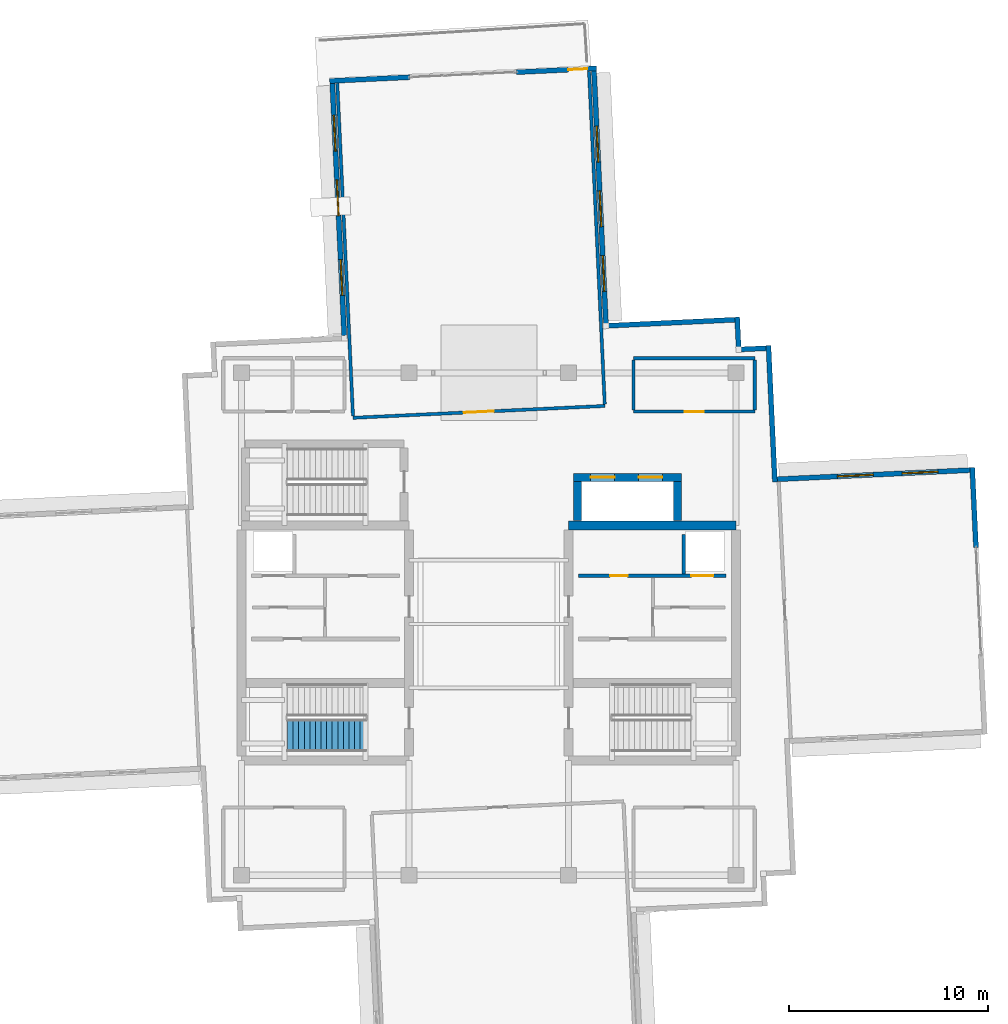
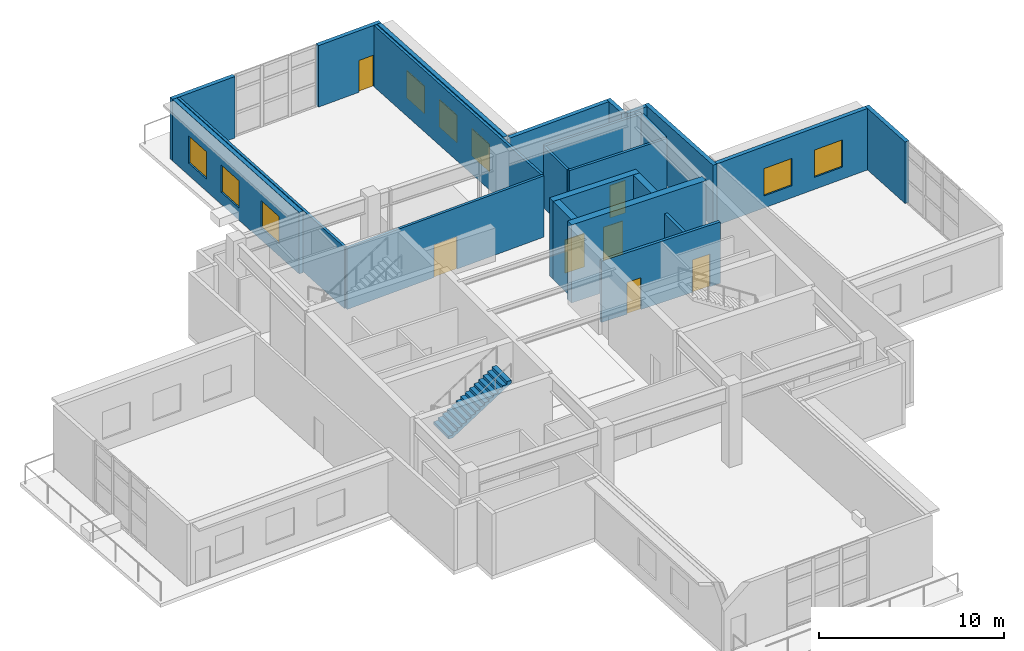
# One storey, part 15 of 22: 23 walls, 8 windows, 7 doors, 1 stair flight, 15 openings, 1 element without a shape of its own.
"""IFC4 building model written with IfcOpenShell, lengths in metres."""

from ifc_helpers import new_model, si_unit, direction, frame, frame_2d, origin, place, context, subcontext, project, spatial, polyline, rectangle, outline, extrude, material, layer, layer_set, type_object, element, fill, aggregate, save


model = new_model("IFC4")

# Units and contexts
model_context = context("Model", 3, precision=1e-05, world=origin(), true_north=direction((0.0, 1.0)))
body_context = subcontext(model_context, "Body", "Model", "MODEL_VIEW")
ifc_project = project(units=[si_unit("LENGTHUNIT", "METRE"), si_unit("AREAUNIT", "SQUARE_METRE"), si_unit("VOLUMEUNIT", "CUBIC_METRE"), si_unit("PLANEANGLEUNIT", "RADIAN"), si_unit("MASSUNIT", "GRAM", prefix="KILO")], contexts=[model_context])

# Site, building, storey
site_placement = place(None, origin())
site = spatial("IfcSite", under=ifc_project, at=site_placement, CompositionType="ELEMENT")
building_placement = place(site_placement, origin())
building = spatial("IfcBuilding", under=site, at=building_placement, Name="Qingluan Cross Belvedere", CompositionType="ELEMENT")
storey_placement = place(building_placement, frame((0.0, 0.0, 294.0)))
storey = spatial("IfcBuildingStorey", under=building, at=storey_placement, Name="L73", CompositionType="ELEMENT", Elevation=294.0)

# Walls
ifc_material_1 = material(Name="Concrete C50", Category="concrete")
ifc_layer_1 = layer(ifc_material_1, 0.449951171875, Name="CoreShearWall_450")
ifc_layer_set_1 = layer_set([ifc_layer_1], Name="Concrete C50")
wall_type_1 = type_object("IfcWallType", Name="CoreShearWall_450", PredefinedType="SHEAR", material=ifc_layer_set_1)
wall_1_placement = place(storey_placement, frame((4.0, 4.949951171875, 0.0), z_axis=(0.0, 0.0, 1.0), x_axis=(1.0, 0.0, 0.0)))
element("IfcWall", 1, at=wall_1_placement, inside=storey, type_object=wall_type_1, Name="Split core E shear wall L73-N", PredefinedType="SHEAR", context=body_context, shape_type="SweptSolid", body=[
    extrude(rectangle(XDim=8.39990234375, YDim=0.449951171875, at=frame_2d((4.199951171875, 0.0))), origin(), (0.0, 0.0, 1.0), 5.14990234375),
])
wall_2_placement = place(storey_placement, frame((4.449951171875, 5.179931640625, 0.0), z_axis=(0.0, 0.0, 1.0), x_axis=(0.0, 1.0, 0.0)))
element("IfcWall", 2, at=wall_2_placement, inside=storey, type_object=wall_type_1, Name="Express shuttle core wall L73-W", PredefinedType="SHEAR", context=body_context, shape_type="SweptSolid", body=[
    extrude(rectangle(XDim=1.9599609375, YDim=0.39990234375, at=frame_2d((0.97998046875, 0.0))), origin(), (0.0, 0.0, 1.0), 5.14990234375),
])

# Wall, openings, doors
wall_3_placement = place(storey_placement, frame((4.25, 7.35009765625, 0.0), z_axis=(0.0, 0.0, 1.0), x_axis=(1.0, 0.0, 0.0)))
wall_3 = element("IfcWall", 3, at=wall_3_placement, inside=storey, type_object=wall_type_1, Name="Express shuttle core wall L73-N", PredefinedType="SHEAR", context=body_context, shape_type="SweptSolid", body=[
    extrude(rectangle(XDim=5.39990234375, YDim=0.39990234375, at=frame_2d((2.699951171875, 0.0))), origin(), (0.0, 0.0, 1.0), 5.14990234375),
])
opening_1_placement = place(wall_3_placement, frame((0.85009765625, 0.0, 0.0)))
opening_1 = element("IfcOpeningElement", 4, at=opening_1_placement, cuts=wall_3, Name="Opening LD-12", PredefinedType="OPENING", context=body_context, shape_type="SweptSolid", body=[
    extrude(rectangle(XDim=1.199951171875, YDim=2.199951171875, at=frame_2d((0.60009765625, 1.10009765625))), frame((0.0, 0.2099609375, 0.0), z_axis=(0.0, -1.0, 0.0), x_axis=(1.0, 0.0, 0.0)), (0.0, 0.0, 1.0), 0.419921875),
])
opening_2_placement = place(wall_3_placement, frame((3.25, 0.0, 0.0)))
opening_2 = element("IfcOpeningElement", 5, at=opening_2_placement, cuts=wall_3, Name="Opening LD-12", PredefinedType="OPENING", context=body_context, shape_type="SweptSolid", body=[
    extrude(rectangle(XDim=1.199951171875, YDim=2.199951171875, at=frame_2d((0.60009765625, 1.10009765625))), frame((0.0, 0.2099609375, 0.0), z_axis=(0.0, -1.0, 0.0), x_axis=(1.0, 0.0, 0.0)), (0.0, 0.0, 1.0), 0.419921875),
])
ifc_material_2 = material(Name="Bronze-anodised stainless steel lift landing door", Category="steel")
door_type_1 = type_object("IfcDoorType", Name="ExpressLiftSlidingDoor_1200", OperationType="DOUBLE_DOOR_SLIDING", PredefinedType="DOOR", material=ifc_material_2)
door_1_placement = place(opening_1_placement, origin())
door_1 = element("IfcDoor", 6, at=door_1_placement, inside=storey, type_object=door_type_1, Name="Express shuttle landing sliding door LPX1 L73", OperationType="DOUBLE_DOOR_SLIDING", OverallHeight=2.199951171875, OverallWidth=1.199951171875, PredefinedType="DOOR", context=body_context, shape_type="SweptSolid", body=[
    extrude(rectangle(XDim=1.199951171875, YDim=2.199951171875, at=frame_2d((0.60009765625, 1.10009765625))), frame((0.0, 0.02490234375, 0.0), z_axis=(0.0, -1.0, 0.0), x_axis=(1.0, 0.0, 0.0)), (0.0, 0.0, 1.0), 0.050048828125),
])
fill(opening_1, door_1)
door_2_placement = place(opening_2_placement, origin())
door_2 = element("IfcDoor", 7, at=door_2_placement, inside=storey, type_object=door_type_1, Name="Express shuttle landing sliding door LPX2 L73", OperationType="DOUBLE_DOOR_SLIDING", OverallHeight=2.199951171875, OverallWidth=1.199951171875, PredefinedType="DOOR", context=body_context, shape_type="SweptSolid", body=[
    extrude(rectangle(XDim=1.199951171875, YDim=2.199951171875, at=frame_2d((0.60009765625, 1.10009765625))), frame((0.0, 0.02490234375, 0.0), z_axis=(0.0, -1.0, 0.0), x_axis=(1.0, 0.0, 0.0)), (0.0, 0.0, 1.0), 0.050048828125),
])
fill(opening_2, door_2)

# Wall
wall_4_placement = place(storey_placement, frame((9.449951171875, 5.179931640625, 0.0), z_axis=(0.0, 0.0, 1.0), x_axis=(0.0, 1.0, 0.0)))
element("IfcWall", 8, at=wall_4_placement, inside=storey, type_object=wall_type_1, Name="Express shuttle core wall L73-E", PredefinedType="SHEAR", context=body_context, shape_type="SweptSolid", body=[
    extrude(rectangle(XDim=1.9599609375, YDim=0.39990234375, at=frame_2d((0.97998046875, 0.0))), origin(), (0.0, 0.0, 1.0), 5.14990234375),
])

# Wall, opening, door
ifc_material_3 = material(Name="Gypsum plasterboard on steel stud acoustic partition", Category="steel")
ifc_layer_2 = layer(ifc_material_3, 0.159912109375, Name="CorridorPartition_160")
ifc_layer_set_2 = layer_set([ifc_layer_2], Name="Gypsum plasterboard on steel stud acoustic partition")
wall_type_2 = type_object("IfcWallType", Name="CorridorPartition_160", PredefinedType="PARTITIONING", material=ifc_layer_set_2)
wall_5_placement = place(storey_placement, frame((-6.814697265625, 10.340576171875, 0.0), z_axis=(0.0, 0.0, 1.0), x_axis=(0.998890660658, 0.04708978712, 0.0)))
wall_5 = element("IfcWall", 9, at=wall_5_placement, inside=storey, type_object=wall_type_2, Name="Partition L73:damper_hall:S", PredefinedType="PARTITIONING", context=body_context, shape_type="SweptSolid", body=[
    extrude(rectangle(XDim=12.639892578125, YDim=0.159912109375, at=frame_2d((6.31982421875, 0.0))), origin(), (0.0, 0.0, 1.0), 4.050048828125),
])
opening_3_placement = place(wall_5_placement, frame((5.570068359375, 0.0, 0.0)))
opening_3 = element("IfcOpeningElement", 10, at=opening_3_placement, cuts=wall_5, Name="Opening FD-A15", PredefinedType="OPENING", context=body_context, shape_type="SweptSolid", body=[
    extrude(rectangle(XDim=1.5, YDim=2.14990234375, at=frame_2d((0.75, 1.074951171875))), frame((0.0, 0.08984375, 0.0), z_axis=(0.0, -1.0, 0.0), x_axis=(1.0, 0.0, 0.0)), (0.0, 0.0, 1.0), 0.179931640625),
])
ifc_material_4 = material(Name="Insulated steel Class A double fire door", Category="steel")
door_type_2 = type_object("IfcDoorType", Name="PlantDoubleFireDoor_FDA", OperationType="DOUBLE_DOOR_SINGLE_SWING", PredefinedType="DOOR", material=ifc_material_4)
door_3_placement = place(opening_3_placement, origin())
door_3 = element("IfcDoor", 11, at=door_3_placement, inside=storey, type_object=door_type_2, Name="Glazed tuned mass damper exhibition hall L73 door", OperationType="DOUBLE_DOOR_SINGLE_SWING", OverallHeight=2.14990234375, OverallWidth=1.5, PredefinedType="DOOR", context=body_context, shape_type="SweptSolid", body=[
    extrude(rectangle(XDim=1.5, YDim=2.14990234375, at=frame_2d((0.75, 1.074951171875))), frame((0.0, 0.02490234375, 0.0), z_axis=(0.0, -1.0, 0.0), x_axis=(1.0, 0.0, 0.0)), (0.0, 0.0, 1.0), 0.050048828125),
])
fill(opening_3, door_3)

# Walls
for number, where, z_axis, x_axis, name in (
    (12, (-6.818603515625, 10.42529296875, 0.0), (0.0, 0.0, 1.0), (-0.047112609649, 0.998889584495, 0.0), "Partition L73:damper_hall:W"),
    (13, (5.807373046875, 11.020751953125, 0.0), (0.0, 0.0, 1.0), (-0.047112609649, 0.998889584495, 0.0), "Partition L73:damper_hall:E"),
):
    element("IfcWall", number, at=place(storey_placement, frame(where, z_axis=z_axis, x_axis=x_axis)), inside=storey, type_object=wall_type_2, Name=name, PredefinedType="PARTITIONING", context=body_context, shape_type="SweptSolid", body=[
        extrude(rectangle(XDim=16.712158203125, YDim=0.159912109375, at=frame_2d((8.35595703125, 0.0))), origin(), (0.0, 0.0, 1.0), 4.050048828125),
    ])

# Wall, opening, door
wall_6_placement = place(storey_placement, frame((7.25, 10.64990234375, 0.0), z_axis=(0.0, 0.0, 1.0), x_axis=(1.0, 0.0, 0.0)))
wall_6 = element("IfcWall", 14, at=wall_6_placement, inside=storey, type_object=wall_type_2, Name="Partition L73:crown_ne:S", PredefinedType="PARTITIONING", context=body_context, shape_type="SweptSolid", body=[
    extrude(rectangle(XDim=6.080078125, YDim=0.159912109375, at=frame_2d((3.0400390625, 0.0))), origin(), (0.0, 0.0, 1.0), 4.050048828125),
])
opening_4_placement = place(wall_6_placement, frame((2.56005859375, 0.0, 0.0)))
opening_4 = element("IfcOpeningElement", 15, at=opening_4_placement, cuts=wall_6, Name="Opening GD-10", PredefinedType="OPENING", context=body_context, shape_type="SweptSolid", body=[
    extrude(rectangle(XDim=0.9599609375, YDim=2.14990234375, at=frame_2d((0.47998046875, 1.074951171875))), frame((0.0, 0.08984375, 0.0), z_axis=(0.0, -1.0, 0.0), x_axis=(1.0, 0.0, 0.0)), (0.0, 0.0, 1.0), 0.179931640625),
])
ifc_material_5 = material(Name="Timber oak fire-rated acoustic guestroom door", Category="wood")
door_type_3 = type_object("IfcDoorType", Name="GuestEntryDoor_FD60", OperationType="NOTDEFINED", PredefinedType="DOOR", material=ifc_material_5)
door_4_placement = place(opening_4_placement, origin())
door_4 = element("IfcDoor", 16, at=door_4_placement, inside=storey, type_object=door_type_3, Name="Belvedere northeast lounge L73 door", OperationType="SINGLE_SWING_LEFT", OverallHeight=2.14990234375, OverallWidth=0.9599609375, PredefinedType="DOOR", context=body_context, shape_type="SweptSolid", body=[
    extrude(rectangle(XDim=0.9599609375, YDim=2.14990234375, at=frame_2d((0.47998046875, 1.074951171875))), frame((0.0, 0.02490234375, 0.0), z_axis=(0.0, -1.0, 0.0), x_axis=(1.0, 0.0, 0.0)), (0.0, 0.0, 1.0), 0.050048828125),
])
fill(opening_4, door_4)

# Walls
wall_7_placement = place(storey_placement, frame((7.25, 13.330078125, 0.0), z_axis=(0.0, 0.0, 1.0), x_axis=(1.0, 0.0, 0.0)))
element("IfcWall", 17, at=wall_7_placement, inside=storey, type_object=wall_type_2, Name="Partition L73:crown_ne:N", PredefinedType="PARTITIONING", context=body_context, shape_type="SweptSolid", body=[
    extrude(rectangle(XDim=6.080078125, YDim=0.159912109375, at=frame_2d((3.0400390625, 0.0))), origin(), (0.0, 0.0, 1.0), 4.050048828125),
])
for number, where, z_axis, x_axis, name in (
    (18, (7.25, 10.735107421875, 0.0), (0.0, 0.0, 1.0), (0.0, 1.0, 0.0), "Partition L73:crown_ne:W"),
    (19, (13.330078125, 10.735107421875, 0.0), (0.0, 0.0, 1.0), (0.0, 1.0, 0.0), "Partition L73:crown_ne:E"),
):
    element("IfcWall", number, at=place(storey_placement, frame(where, z_axis=z_axis, x_axis=x_axis)), inside=storey, type_object=wall_type_2, Name=name, PredefinedType="PARTITIONING", context=body_context, shape_type="SweptSolid", body=[
        extrude(rectangle(XDim=2.510009765625, YDim=0.159912109375, at=frame_2d((1.2548828125, 0.0))), origin(), (0.0, 0.0, 1.0), 4.050048828125),
    ])

# Wall, openings, windows
ifc_material_6 = material(Name="Precast concrete C45", Category="concrete")
ifc_layer_3 = layer(ifc_material_6, 0.25, Name="PrecastCrownWall_250")
ifc_layer_set_3 = layer_set([ifc_layer_3], Name="Precast concrete C45")
wall_type_3 = type_object("IfcWallType", Name="PrecastCrownWall_250", PredefinedType="STANDARD", material=ifc_layer_set_3)
wall_8_placement = place(storey_placement, frame((24.118408203125, 7.714599609375, 0.0), z_axis=(0.0, 0.0, 1.0), x_axis=(-0.998890870299, -0.047085339899, 0.0)))
wall_8 = element("IfcWall", 20, at=wall_8_placement, inside=storey, type_object=wall_type_3, Name="Facade wall L73-EB", PredefinedType="STANDARD", context=body_context, shape_type="SweptSolid", body=[
    extrude(rectangle(XDim=9.670166015625, YDim=0.25, at=frame_2d((4.8349609375, 0.0))), origin(), (0.0, 0.0, 1.0), 4.06005859375),
])
opening_5_placement = place(wall_8_placement, frame((1.60009765625, 0.0, 0.800048828125)))
opening_5 = element("IfcOpeningElement", 21, at=opening_5_placement, cuts=wall_8, Name="Opening W-05", PredefinedType="OPENING", context=body_context, shape_type="SweptSolid", body=[
    extrude(rectangle(XDim=1.800048828125, YDim=1.800048828125, at=frame_2d((0.89990234375, 0.89990234375))), frame((0.0, 0.135009765625, 0.0), z_axis=(0.0, -1.0, 0.0), x_axis=(1.0, 0.0, 0.0)), (0.0, 0.0, 1.0), 0.27001953125),
])
opening_6_placement = place(wall_8_placement, frame((4.85009765625, 0.0, 0.800048828125)))
opening_6 = element("IfcOpeningElement", 22, at=opening_6_placement, cuts=wall_8, Name="Opening W-05", PredefinedType="OPENING", context=body_context, shape_type="SweptSolid", body=[
    extrude(rectangle(XDim=1.800048828125, YDim=1.800048828125, at=frame_2d((0.89990234375, 0.89990234375))), frame((0.0, 0.135009765625, 0.0), z_axis=(0.0, -1.0, 0.0), x_axis=(1.0, 0.0, 0.0)), (0.0, 0.0, 1.0), 0.27001953125),
])
ifc_material_7 = material(Name="Thermally broken triple Low-E glass in aluminium frame", Category="aluminium")
window_type = type_object("IfcWindowType", Name="CrownBelvedereWin_1800x1800", PartitioningType="SINGLE_PANEL", PredefinedType="WINDOW", material=ifc_material_7)
window_1_placement = place(opening_5_placement, origin())
window_1 = element("IfcWindow", 23, at=window_1_placement, inside=storey, type_object=window_type, Name="Ribbon window L73-EB-1", OverallHeight=1.800048828125, OverallWidth=1.800048828125, PartitioningType="SINGLE_PANEL", PredefinedType="WINDOW", context=body_context, shape_type="SweptSolid", body=[
    extrude(rectangle(XDim=1.800048828125, YDim=1.800048828125, at=frame_2d((0.89990234375, 0.89990234375))), frame((0.0, 0.030029296875, 0.0), z_axis=(0.0, -1.0, 0.0), x_axis=(1.0, 0.0, 0.0)), (0.0, 0.0, 1.0), 0.06005859375),
])
fill(opening_5, window_1)
window_2_placement = place(opening_6_placement, origin())
window_2 = element("IfcWindow", 24, at=window_2_placement, inside=storey, type_object=window_type, Name="Ribbon window L73-EB-2", OverallHeight=1.800048828125, OverallWidth=1.800048828125, PartitioningType="SINGLE_PANEL", PredefinedType="WINDOW", context=body_context, shape_type="SweptSolid", body=[
    extrude(rectangle(XDim=1.800048828125, YDim=1.800048828125, at=frame_2d((0.89990234375, 0.89990234375))), frame((0.0, 0.030029296875, 0.0), z_axis=(0.0, -1.0, 0.0), x_axis=(1.0, 0.0, 0.0)), (0.0, 0.0, 1.0), 0.06005859375),
])
fill(opening_6, window_2)

# Wall
wall_9_placement = place(storey_placement, frame((24.426513671875, 3.8330078125, 0.0), z_axis=(0.0, 0.0, 1.0), x_axis=(-0.047103119856, 0.998890032035, 0.0)))
element("IfcWall", 25, at=wall_9_placement, inside=storey, type_object=wall_type_3, Name="Terrace portal jamb wall L73-E2", PredefinedType="STANDARD", context=body_context, shape_type="SweptSolid", body=[
    extrude(rectangle(XDim=4.016845703125, YDim=0.25, at=frame_2d((2.00830078125, 0.0))), origin(), (0.0, 0.0, 1.0), 4.06005859375),
])

# Wall, openings, windows
wall_10_placement = place(storey_placement, frame((5.8662109375, 15.078125, 0.0), z_axis=(0.0, 0.0, 1.0), x_axis=(-0.04711379485, 0.998889528594, 0.0)))
wall_10 = element("IfcWall", 26, at=wall_10_placement, inside=storey, type_object=wall_type_3, Name="Facade wall L73-NA", PredefinedType="STANDARD", context=body_context, shape_type="SweptSolid", body=[
    extrude(rectangle(XDim=12.669921875, YDim=0.25, at=frame_2d((6.3349609375, 0.0))), origin(), (0.0, 0.0, 1.0), 4.06005859375),
])
opening_7_placement = place(wall_10_placement, frame((1.60009765625, 0.0, 0.800048828125)))
opening_7 = element("IfcOpeningElement", 27, at=opening_7_placement, cuts=wall_10, Name="Opening W-05", PredefinedType="OPENING", context=body_context, shape_type="SweptSolid", body=[
    extrude(rectangle(XDim=1.800048828125, YDim=1.800048828125, at=frame_2d((0.89990234375, 0.89990234375))), frame((0.0, 0.135009765625, 0.0), z_axis=(0.0, -1.0, 0.0), x_axis=(1.0, 0.0, 0.0)), (0.0, 0.0, 1.0), 0.27001953125),
])
opening_8_placement = place(wall_10_placement, frame((4.85009765625, 0.0, 0.800048828125)))
opening_8 = element("IfcOpeningElement", 28, at=opening_8_placement, cuts=wall_10, Name="Opening W-05", PredefinedType="OPENING", context=body_context, shape_type="SweptSolid", body=[
    extrude(rectangle(XDim=1.800048828125, YDim=1.800048828125, at=frame_2d((0.89990234375, 0.89990234375))), frame((0.0, 0.135009765625, 0.0), z_axis=(0.0, -1.0, 0.0), x_axis=(1.0, 0.0, 0.0)), (0.0, 0.0, 1.0), 0.27001953125),
])
opening_9_placement = place(wall_10_placement, frame((8.10009765625, 0.0, 0.800048828125)))
opening_9 = element("IfcOpeningElement", 29, at=opening_9_placement, cuts=wall_10, Name="Opening W-05", PredefinedType="OPENING", context=body_context, shape_type="SweptSolid", body=[
    extrude(rectangle(XDim=1.800048828125, YDim=1.800048828125, at=frame_2d((0.89990234375, 0.89990234375))), frame((0.0, 0.135009765625, 0.0), z_axis=(0.0, -1.0, 0.0), x_axis=(1.0, 0.0, 0.0)), (0.0, 0.0, 1.0), 0.27001953125),
])
window_3_placement = place(opening_7_placement, origin())
window_3 = element("IfcWindow", 30, at=window_3_placement, inside=storey, type_object=window_type, Name="Ribbon window L73-NA-1", OverallHeight=1.800048828125, OverallWidth=1.800048828125, PartitioningType="SINGLE_PANEL", PredefinedType="WINDOW", context=body_context, shape_type="SweptSolid", body=[
    extrude(rectangle(XDim=1.800048828125, YDim=1.800048828125, at=frame_2d((0.89990234375, 0.89990234375))), frame((0.0, 0.030029296875, 0.0), z_axis=(0.0, -1.0, 0.0), x_axis=(1.0, 0.0, 0.0)), (0.0, 0.0, 1.0), 0.06005859375),
])
fill(opening_7, window_3)
window_4_placement = place(opening_8_placement, origin())
window_4 = element("IfcWindow", 31, at=window_4_placement, inside=storey, type_object=window_type, Name="Ribbon window L73-NA-2", OverallHeight=1.800048828125, OverallWidth=1.800048828125, PartitioningType="SINGLE_PANEL", PredefinedType="WINDOW", context=body_context, shape_type="SweptSolid", body=[
    extrude(rectangle(XDim=1.800048828125, YDim=1.800048828125, at=frame_2d((0.89990234375, 0.89990234375))), frame((0.0, 0.030029296875, 0.0), z_axis=(0.0, -1.0, 0.0), x_axis=(1.0, 0.0, 0.0)), (0.0, 0.0, 1.0), 0.06005859375),
])
fill(opening_8, window_4)
window_5_placement = place(opening_9_placement, origin())
window_5 = element("IfcWindow", 32, at=window_5_placement, inside=storey, type_object=window_type, Name="Ribbon window L73-NA-3", OverallHeight=1.800048828125, OverallWidth=1.800048828125, PartitioningType="SINGLE_PANEL", PredefinedType="WINDOW", context=body_context, shape_type="SweptSolid", body=[
    extrude(rectangle(XDim=1.800048828125, YDim=1.800048828125, at=frame_2d((0.89990234375, 0.89990234375))), frame((0.0, 0.030029296875, 0.0), z_axis=(0.0, -1.0, 0.0), x_axis=(1.0, 0.0, 0.0)), (0.0, 0.0, 1.0), 0.06005859375),
])
fill(opening_9, window_5)

wall_11_placement = place(storey_placement, frame((-7.85595703125, 27.114990234375, 0.0), z_axis=(0.0, 0.0, 1.0), x_axis=(0.047093661688, -0.998890477995, 0.0)))
wall_11 = element("IfcWall", 33, at=wall_11_placement, inside=storey, type_object=wall_type_3, Name="Facade wall L73-NB", PredefinedType="STANDARD", context=body_context, shape_type="SweptSolid", body=[
    extrude(rectangle(XDim=12.670166015625, YDim=0.25, at=frame_2d((6.3349609375, 0.0))), origin(), (0.0, 0.0, 1.0), 4.06005859375),
])
opening_10_placement = place(wall_11_placement, frame((1.60009765625, 0.0, 0.800048828125)))
opening_10 = element("IfcOpeningElement", 34, at=opening_10_placement, cuts=wall_11, Name="Opening W-05", PredefinedType="OPENING", context=body_context, shape_type="SweptSolid", body=[
    extrude(rectangle(XDim=1.800048828125, YDim=1.800048828125, at=frame_2d((0.89990234375, 0.89990234375))), frame((0.0, 0.135009765625, 0.0), z_axis=(0.0, -1.0, 0.0), x_axis=(1.0, 0.0, 0.0)), (0.0, 0.0, 1.0), 0.27001953125),
])
opening_11_placement = place(wall_11_placement, frame((4.85009765625, 0.0, 0.800048828125)))
opening_11 = element("IfcOpeningElement", 35, at=opening_11_placement, cuts=wall_11, Name="Opening W-05", PredefinedType="OPENING", context=body_context, shape_type="SweptSolid", body=[
    extrude(rectangle(XDim=1.800048828125, YDim=1.800048828125, at=frame_2d((0.89990234375, 0.89990234375))), frame((0.0, 0.135009765625, 0.0), z_axis=(0.0, -1.0, 0.0), x_axis=(1.0, 0.0, 0.0)), (0.0, 0.0, 1.0), 0.27001953125),
])
opening_12_placement = place(wall_11_placement, frame((8.85009765625, 0.0, 0.800048828125)))
opening_12 = element("IfcOpeningElement", 36, at=opening_12_placement, cuts=wall_11, Name="Opening W-05", PredefinedType="OPENING", context=body_context, shape_type="SweptSolid", body=[
    extrude(rectangle(XDim=1.800048828125, YDim=1.800048828125, at=frame_2d((0.89990234375, 0.89990234375))), frame((0.0, 0.135009765625, 0.0), z_axis=(0.0, -1.0, 0.0), x_axis=(1.0, 0.0, 0.0)), (0.0, 0.0, 1.0), 0.27001953125),
])
window_6_placement = place(opening_10_placement, origin())
window_6 = element("IfcWindow", 37, at=window_6_placement, inside=storey, type_object=window_type, Name="Ribbon window L73-NB-1", OverallHeight=1.800048828125, OverallWidth=1.800048828125, PartitioningType="SINGLE_PANEL", PredefinedType="WINDOW", context=body_context, shape_type="SweptSolid", body=[
    extrude(rectangle(XDim=1.800048828125, YDim=1.800048828125, at=frame_2d((0.89990234375, 0.89990234375))), frame((0.0, 0.030029296875, 0.0), z_axis=(0.0, -1.0, 0.0), x_axis=(1.0, 0.0, 0.0)), (0.0, 0.0, 1.0), 0.06005859375),
])
fill(opening_10, window_6)
window_7_placement = place(opening_11_placement, origin())
window_7 = element("IfcWindow", 38, at=window_7_placement, inside=storey, type_object=window_type, Name="Ribbon window L73-NB-2", OverallHeight=1.800048828125, OverallWidth=1.800048828125, PartitioningType="SINGLE_PANEL", PredefinedType="WINDOW", context=body_context, shape_type="SweptSolid", body=[
    extrude(rectangle(XDim=1.800048828125, YDim=1.800048828125, at=frame_2d((0.89990234375, 0.89990234375))), frame((0.0, 0.030029296875, 0.0), z_axis=(0.0, -1.0, 0.0), x_axis=(1.0, 0.0, 0.0)), (0.0, 0.0, 1.0), 0.06005859375),
])
fill(opening_11, window_7)
window_8_placement = place(opening_12_placement, origin())
window_8 = element("IfcWindow", 39, at=window_8_placement, inside=storey, type_object=window_type, Name="Ribbon window L73-NB-3", OverallHeight=1.800048828125, OverallWidth=1.800048828125, PartitioningType="SINGLE_PANEL", PredefinedType="WINDOW", context=body_context, shape_type="SweptSolid", body=[
    extrude(rectangle(XDim=1.800048828125, YDim=1.800048828125, at=frame_2d((0.89990234375, 0.89990234375))), frame((0.0, 0.030029296875, 0.0), z_axis=(0.0, -1.0, 0.0), x_axis=(1.0, 0.0, 0.0)), (0.0, 0.0, 1.0), 0.06005859375),
])
fill(opening_12, window_8)

# Wall, opening, door
wall_12_placement = place(storey_placement, frame((5.388427734375, 27.86474609375, 0.0), z_axis=(0.0, 0.0, 1.0), x_axis=(-0.998890166872, -0.047100260363, 0.0)))
wall_12 = element("IfcWall", 40, at=wall_12_placement, inside=storey, type_object=wall_type_3, Name="Terrace portal jamb wall L73-N1", PredefinedType="STANDARD", context=body_context, shape_type="SweptSolid", body=[
    extrude(rectangle(XDim=4.01708984375, YDim=0.25, at=frame_2d((2.008544921875, 0.0))), origin(), (0.0, 0.0, 1.0), 4.06005859375),
])
opening_13_placement = place(wall_12_placement, frame((0.449951171875, 0.0, 0.0)))
opening_13 = element("IfcOpeningElement", 41, at=opening_13_placement, cuts=wall_12, Name="Opening TD-10", PredefinedType="OPENING", context=body_context, shape_type="SweptSolid", body=[
    extrude(rectangle(XDim=0.9599609375, YDim=2.10009765625, at=frame_2d((0.47998046875, 1.050048828125))), frame((0.0, 0.135009765625, 0.0), z_axis=(0.0, -1.0, 0.0), x_axis=(1.0, 0.0, 0.0)), (0.0, 0.0, 1.0), 0.27001953125),
])
ifc_material_8 = material(Name="Thermally broken aluminium and Low-E glass", Category="aluminium")
door_type_4 = type_object("IfcDoorType", Name="SetbackTerraceDoor_096", OperationType="NOTDEFINED", PredefinedType="DOOR", material=ifc_material_8)
door_5_placement = place(opening_13_placement, origin())
door_5 = element("IfcDoor", 42, at=door_5_placement, inside=storey, type_object=door_type_4, Name="Outdoor terrace access door L73-set1", OperationType="SINGLE_SWING_LEFT", OverallHeight=2.10009765625, OverallWidth=0.9599609375, PredefinedType="DOOR", context=body_context, shape_type="SweptSolid", body=[
    extrude(rectangle(XDim=0.9599609375, YDim=2.10009765625, at=frame_2d((0.47998046875, 1.050048828125))), frame((0.0, 0.02490234375, 0.0), z_axis=(0.0, -1.0, 0.0), x_axis=(1.0, 0.0, 0.0)), (0.0, 0.0, 1.0), 0.050048828125),
])
fill(opening_13, door_5)

# Walls
wall_13_placement = place(storey_placement, frame((-3.97412109375, 27.423095703125, 0.0), z_axis=(0.0, 0.0, 1.0), x_axis=(-0.998890166872, -0.047100260363, 0.0)))
element("IfcWall", 43, at=wall_13_placement, inside=storey, type_object=wall_type_3, Name="Terrace portal jamb wall L73-N2", PredefinedType="STANDARD", context=body_context, shape_type="SweptSolid", body=[
    extrude(rectangle(XDim=4.01708984375, YDim=0.25, at=frame_2d((2.008544921875, 0.0))), origin(), (0.0, 0.0, 1.0), 4.06005859375),
])
wall_14_placement = place(storey_placement, frame((14.340087890625, 7.12841796875, 0.0), z_axis=(0.0, 0.0, 1.0), x_axis=(-0.047115742593, 0.998889436725, 0.0)))
element("IfcWall", 44, at=wall_14_placement, inside=storey, type_object=wall_type_3, Name="Corner wall L73-NE1", PredefinedType="STANDARD", context=body_context, shape_type="SweptSolid", body=[
    extrude(rectangle(XDim=6.83984375, YDim=0.25, at=frame_2d((3.419921875, 0.0))), origin(), (0.0, 0.0, 1.0), 4.06005859375),
])
wall_15_placement = place(storey_placement, frame((13.89892578125, 13.830078125, 0.0), z_axis=(0.0, 0.0, 1.0), x_axis=(-0.99889143794, -0.047073296156, 0.0)))
element("IfcWall", 45, at=wall_15_placement, inside=storey, type_object=wall_type_3, Name="Corner wall L73-NE2", PredefinedType="STANDARD", context=body_context, shape_type="SweptSolid", body=[
    extrude(rectangle(XDim=1.25, YDim=0.25, at=frame_2d((0.625, 0.0))), origin(), (0.0, 0.0, 1.0), 4.06005859375),
])
wall_16_placement = place(storey_placement, frame((12.51953125, 13.89013671875, 0.0), z_axis=(0.0, 0.0, 1.0), x_axis=(-0.047039284441, 0.99889304018, 0.0)))
element("IfcWall", 46, at=wall_16_placement, inside=storey, type_object=wall_type_3, Name="Corner wall L73-NE3", PredefinedType="STANDARD", context=body_context, shape_type="SweptSolid", body=[
    extrude(rectangle(XDim=1.5, YDim=0.25, at=frame_2d((0.75, 0.0))), origin(), (0.0, 0.0, 1.0), 4.06005859375),
])
wall_17_placement = place(storey_placement, frame((12.329833984375, 15.2578125, 0.0), z_axis=(0.0, 0.0, 1.0), x_axis=(-0.998888519502, -0.047135184389, 0.0)))
element("IfcWall", 47, at=wall_17_placement, inside=storey, type_object=wall_type_3, Name="Corner wall L73-NE4", PredefinedType="STANDARD", context=body_context, shape_type="SweptSolid", body=[
    extrude(rectangle(XDim=6.33984375, YDim=0.25, at=frame_2d((3.169921875, 0.0))), origin(), (0.0, 0.0, 1.0), 4.06005859375),
])

# Wall, openings, doors
ifc_material_9 = material(Name="Concrete C40", Category="concrete")
ifc_layer_4 = layer(ifc_material_9, 0.219970703125, Name="ShaftEnclosureWall_250")
ifc_layer_set_4 = layer_set([ifc_layer_4], Name="Concrete C40")
wall_type_4 = type_object("IfcWallType", Name="ShaftEnclosureWall_250", PredefinedType="SOLIDWALL", material=ifc_layer_set_4)
wall_18_placement = place(storey_placement, frame((4.47998046875, 2.409912109375, 0.0), z_axis=(0.0, 0.0, 1.0), x_axis=(1.0, 0.0, 0.0)))
wall_18 = element("IfcWall", 48, at=wall_18_placement, inside=storey, type_object=wall_type_4, Name="Core-E north hoistway wall L73", PredefinedType="SOLIDWALL", context=body_context, shape_type="SweptSolid", body=[
    extrude(rectangle(XDim=7.419921875, YDim=0.179931640625, at=frame_2d((3.7099609375, 0.0))), origin(), (0.0, 0.0, 1.0), 4.050048828125),
])
opening_14_placement = place(wall_18_placement, frame((5.669921875, 0.0, 0.0)))
opening_14 = element("IfcOpeningElement", 49, at=opening_14_placement, cuts=wall_18, Name="Opening LD-11", PredefinedType="OPENING", context=body_context, shape_type="SweptSolid", body=[
    extrude(rectangle(XDim=1.10009765625, YDim=2.14990234375, at=frame_2d((0.550048828125, 1.074951171875))), frame((0.0, 0.099853515625, 0.0), z_axis=(0.0, -1.0, 0.0), x_axis=(1.0, 0.0, 0.0)), (0.0, 0.0, 1.0), 0.199951171875),
])
opening_15_placement = place(wall_18_placement, frame((1.60009765625, 0.0, 0.0)))
opening_15 = element("IfcOpeningElement", 50, at=opening_15_placement, cuts=wall_18, Name="Opening FD-B10", PredefinedType="OPENING", context=body_context, shape_type="SweptSolid", body=[
    extrude(rectangle(XDim=0.8798828125, YDim=2.10009765625, at=frame_2d((0.43994140625, 1.050048828125))), frame((0.0, 0.099853515625, 0.0), z_axis=(0.0, -1.0, 0.0), x_axis=(1.0, 0.0, 0.0)), (0.0, 0.0, 1.0), 0.199951171875),
])
ifc_material_10 = material(Name="Brushed stainless steel centre-opening lift landing door", Category="steel")
door_type_5 = type_object("IfcDoorType", Name="LiftLandingSlidingDoor_1100", OperationType="DOUBLE_DOOR_SLIDING", PredefinedType="DOOR", material=ifc_material_10)
door_6_placement = place(opening_14_placement, origin())
door_6 = element("IfcDoor", 51, at=door_6_placement, inside=storey, type_object=door_type_5, Name="Lift landing sliding door FL2 L73", OperationType="DOUBLE_DOOR_SLIDING", OverallHeight=2.14990234375, OverallWidth=1.10009765625, PredefinedType="DOOR", context=body_context, shape_type="SweptSolid", body=[
    extrude(rectangle(XDim=1.10009765625, YDim=2.14990234375, at=frame_2d((0.550048828125, 1.074951171875))), frame((0.0, 0.02490234375, 0.0), z_axis=(0.0, -1.0, 0.0), x_axis=(1.0, 0.0, 0.0)), (0.0, 0.0, 1.0), 0.050048828125),
])
fill(opening_14, door_6)
ifc_material_11 = material(Name="Steel Class B service fire door", Category="steel")
door_type_6 = type_object("IfcDoorType", Name="RiserServiceFireDoor_FDB", OperationType="NOTDEFINED", PredefinedType="DOOR", material=ifc_material_11)
door_7_placement = place(opening_15_placement, origin())
door_7 = element("IfcDoor", 52, at=door_7_placement, inside=storey, type_object=door_type_6, Name="Pantry room door E L73", OperationType="SINGLE_SWING_LEFT", OverallHeight=2.10009765625, OverallWidth=0.8798828125, PredefinedType="DOOR", context=body_context, shape_type="SweptSolid", body=[
    extrude(rectangle(XDim=0.8798828125, YDim=2.10009765625, at=frame_2d((0.43994140625, 1.050048828125))), frame((0.0, 0.02490234375, 0.0), z_axis=(0.0, -1.0, 0.0), x_axis=(1.0, 0.0, 0.0)), (0.0, 0.0, 1.0), 0.050048828125),
])
fill(opening_15, door_7)

# Wall
wall_19_placement = place(storey_placement, frame((9.760009765625, 2.5, 0.0), z_axis=(0.0, 0.0, 1.0), x_axis=(0.0, 1.0, 0.0)))
element("IfcWall", 53, at=wall_19_placement, inside=storey, type_object=wall_type_4, Name="Hoistway enclosure divider FL2W L73", PredefinedType="SOLIDWALL", context=body_context, shape_type="SweptSolid", body=[
    extrude(rectangle(XDim=1.989990234375, YDim=0.179931640625, at=frame_2d((0.9951171875, 0.0))), origin(), (0.0, 0.0, 1.0), 4.050048828125),
])

# Stair, stair flight
ifc_material_12 = material(Name="Concrete C40", Category="concrete")
stair_type = type_object("IfcStairType", Name="CoreDoglegStair_1620", PredefinedType="HALF_TURN_STAIR", material=ifc_material_12)
stair_placement = place(storey_placement, origin())
stair = element("IfcStair", 54, at=stair_placement, inside=storey, type_object=stair_type, Name="L73 ST1", PredefinedType="HALF_TURN_STAIR")
ifc_material_13 = material(Name="Concrete C40", Category="concrete")
ifc_layer_5 = layer(ifc_material_13, 0.179931640625, Name="StairFlight_RC180")
ifc_layer_set_5 = layer_set([ifc_layer_5], Name="Concrete C40")
stair_flight_type = type_object("IfcStairFlightType", Name="StairFlight_RC180", PredefinedType="STRAIGHT", material=ifc_layer_set_5)
stair_flight_placement = place(storey_placement, frame((-10.10009765625, -5.590087890625, 2.699951171875), z_axis=(0.0, 0.0, 1.0), x_axis=(1.0, 0.0, 0.0)))
stair_flight = element("IfcStairFlight", 55, at=stair_flight_placement, type_object=stair_flight_type, Name="ST1 flight 2", NumberOfRisers=15, NumberOfTreads=14, PredefinedType="STRAIGHT", RiserHeight=0.18, TreadLength=0.28, context=body_context, shape_type="SweptSolid", body=[
    extrude(outline(polyline([(0.0, 0.0), (0.0, 0.179931640625), (0.280029296875, 0.179931640625), (0.280029296875, 0.360107421875), (0.56005859375, 0.360107421875), (0.56005859375, 0.5400390625), (0.840087890625, 0.5400390625), (0.840087890625, 0.719970703125), (1.1201171875, 0.719970703125), (1.1201171875, 0.89990234375), (1.39990234375, 0.89990234375), (1.39990234375, 1.080078125), (1.679931640625, 1.080078125), (1.679931640625, 1.260009765625), (1.9599609375, 1.260009765625), (1.9599609375, 1.43994140625), (2.239990234375, 1.43994140625), (2.239990234375, 1.6201171875), (2.52001953125, 1.6201171875), (2.52001953125, 1.800048828125), (2.800048828125, 1.800048828125), (2.800048828125, 1.97998046875), (3.080078125, 1.97998046875), (3.080078125, 2.159912109375), (3.360107421875, 2.159912109375), (3.360107421875, 2.340087890625), (3.639892578125, 2.340087890625), (3.639892578125, 2.52001953125), (3.919921875, 2.52001953125), (3.919921875, 2.699951171875), (3.919921875, 2.341796875), (0.277099609375, 0.0), (0.0, 0.0)])), frame((0.0, 0.81005859375, 0.0), z_axis=(0.0, -1.0, 0.0), x_axis=(1.0, 0.0, 0.0)), (0.0, 0.0, 1.0), 1.6201171875),
])
aggregate(stair, [stair_flight])

save(model, "model.ifc")
